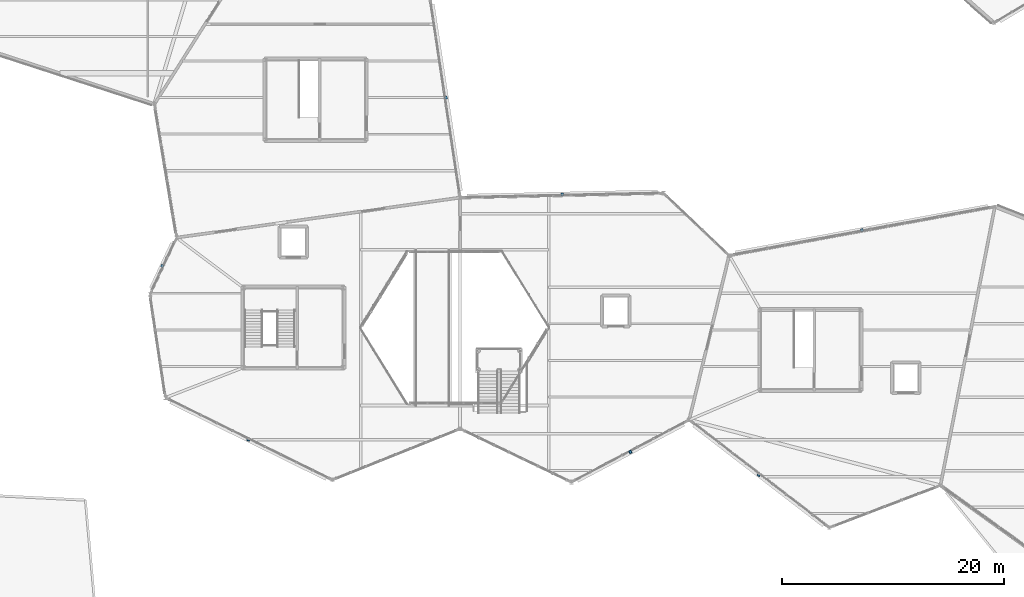
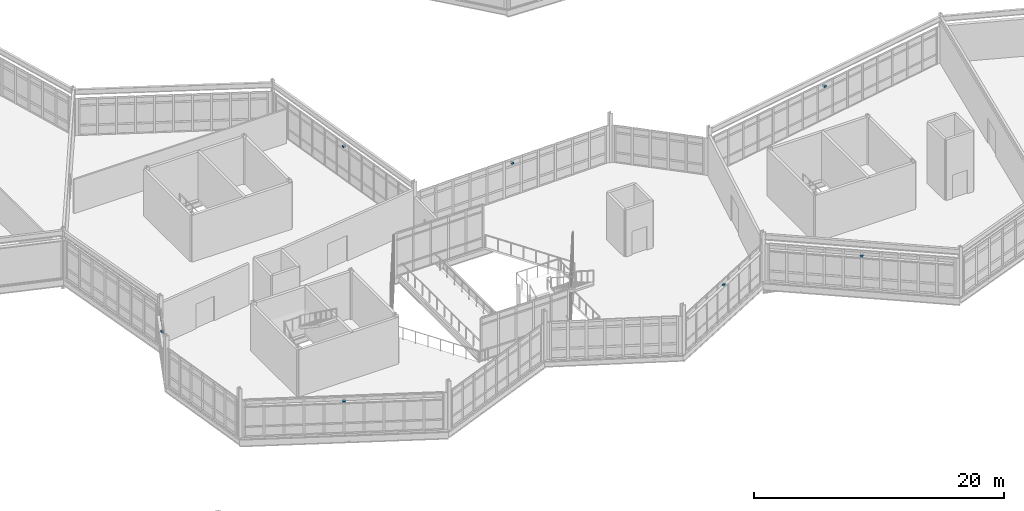
# One storey, part 68 of 76: 7 discrete accessories.
"""IFC4 building model written with IfcOpenShell, lengths in metres."""

from ifc_helpers import new_model, si_unit, direction, frame, origin, origin_2d, place, context, subcontext, project, spatial, rectangle, extrude, material, type_object, element, save


model = new_model("IFC4")

# Units and contexts
model_context = context("Model", 3, precision=1e-05, world=origin(), true_north=direction((0.0, 1.0)))
body_context = subcontext(model_context, "Body", "Model", "MODEL_VIEW")
ifc_project = project(units=[si_unit("LENGTHUNIT", "METRE"), si_unit("AREAUNIT", "SQUARE_METRE"), si_unit("VOLUMEUNIT", "CUBIC_METRE"), si_unit("PLANEANGLEUNIT", "RADIAN"), si_unit("MASSUNIT", "GRAM", prefix="KILO")], contexts=[model_context])

# Site, building, storey
site_placement = place(None, origin())
site = spatial("IfcSite", under=ifc_project, at=site_placement, CompositionType="ELEMENT")
building_placement = place(site_placement, origin())
building = spatial("IfcBuilding", under=site, at=building_placement, Name="Tameran Prism Museum", CompositionType="ELEMENT")
storey_placement = place(building_placement, frame((0.0, 0.0, 15.0)))
storey = spatial("IfcBuildingStorey", under=building, at=storey_placement, Name="L03", CompositionType="ELEMENT", Elevation=15.0)

# Discrete accessories
ifc_material = material(Name="Galvanized Steel Grade 350 (350 MPa)", Category="steel")
discrete_accessory_type = type_object("IfcDiscreteAccessoryType", Name="DA-BRK-STL", PredefinedType="BRACKET", material=ifc_material)
for number, where, z_axis, x_axis, name in (
    (1, (58.465087890625, 26.427978515625, 3.08984375), (0.0, 0.0, 1.0), (-0.896795533934, 0.442445217305, 0.0), "Facade Sunshade Bracket BK-058"),
    (2, (50.715087890625, 42.056884765625, 3.08984375), (0.0, 0.0, 1.0), (0.425779291565, 0.904827052466, 0.0), "Facade Sunshade Bracket BK-059"),
    (3, (92.81005859375, 25.31494140625, 3.08984375), (0.0, 0.0, 1.0), (-0.88417363932, -0.467158405181, 0.0), "Facade Sunshade Bracket BK-060"),
    (4, (86.677978515625, 48.48095703125, 3.08984375), (0.0, 0.0, 1.0), (0.99976202708, 0.021814885035, 0.0), "Facade Sunshade Bracket BK-061"),
    (5, (76.22412109375, 57.19189453125, 3.08984375), (0.0, 0.0, 1.0), (0.149190193254, -0.988808518489, 0.0), "Facade Sunshade Bracket BK-062"),
    (6, (104.375, 23.26806640625, 3.08984375), (0.0, 0.0, 1.0), (-0.792396121708, 0.61000687398, 0.0), "Facade Sunshade Bracket BK-063"),
    (7, (113.634033203125, 45.279052734375, 3.08984375), (0.0, 0.0, 1.0), (0.983476816388, 0.1810341173, 0.0), "Facade Sunshade Bracket BK-064"),
):
    element("IfcDiscreteAccessory", number, at=place(storey_placement, frame(where, z_axis=z_axis, x_axis=x_axis)), inside=storey, type_object=discrete_accessory_type, Name=name, PredefinedType="BRACKET", context=body_context, shape_type="SweptSolid", body=[
        extrude(rectangle(XDim=0.239990234375, YDim=0.239990234375, at=origin_2d()), origin(), (0.0, 0.0, 1.0), 0.159912109375),
    ])

save(model, "model.ifc")
